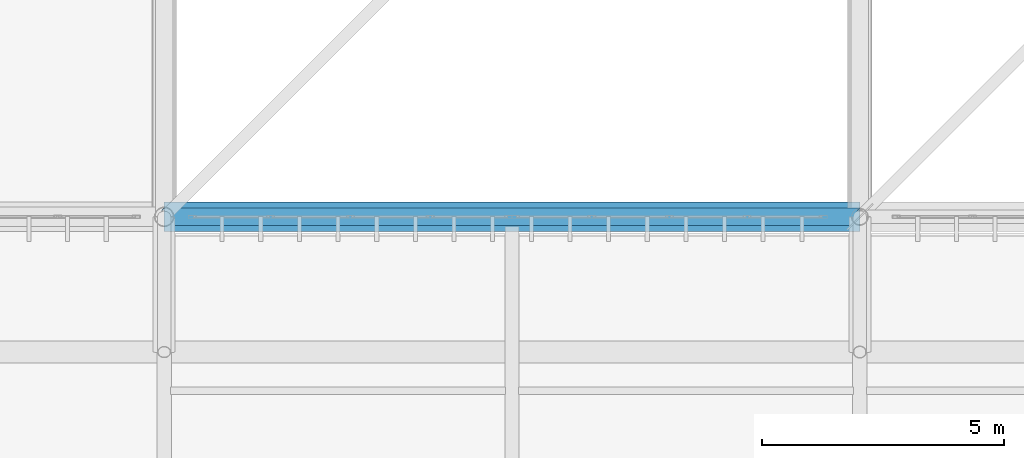
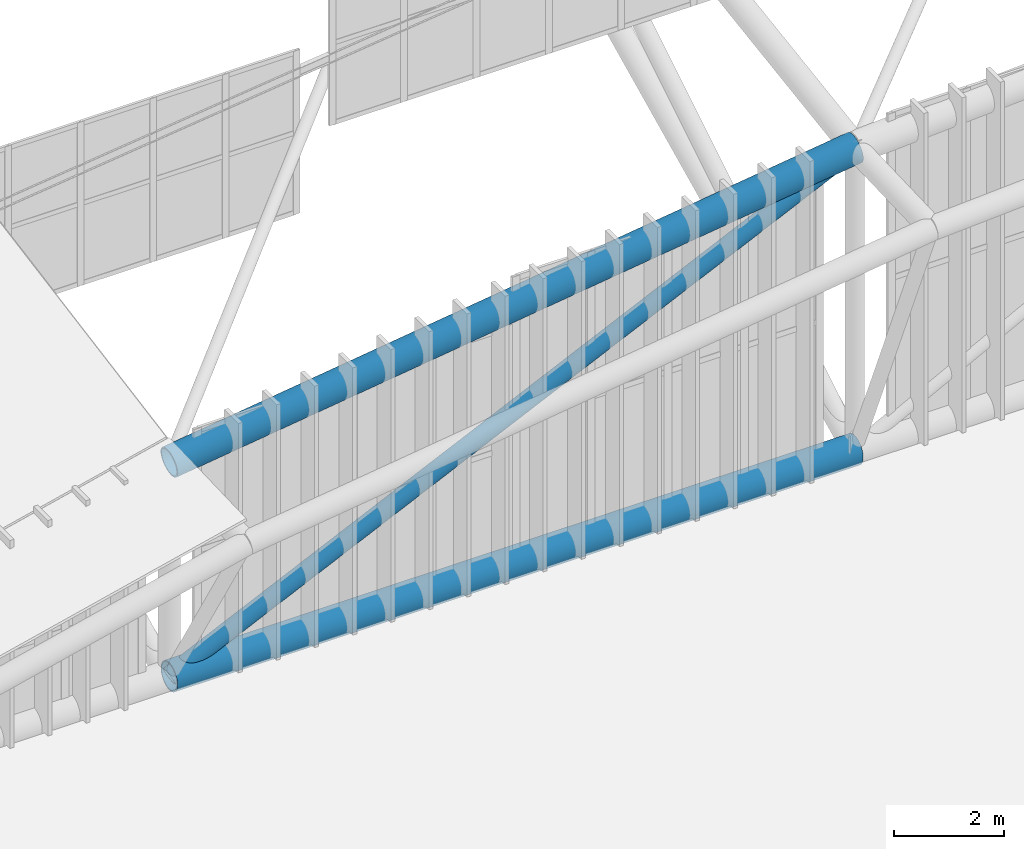
# One storey, part 20 of 397: 2 beams, 1 member.
"""IFC4 building model written with IfcOpenShell, lengths in metres."""

from ifc_helpers import new_model, si_unit, direction, frame, origin, origin_2d, place, context, subcontext, project, spatial, hollow_circle, extrude, material, material_profile, profile_set, type_object, element, save


model = new_model("IFC4")

# Units and contexts
model_context = context("Model", 3, precision=1e-05, world=origin(), true_north=direction((0.0, 1.0)))
body_context = subcontext(model_context, "Body", "Model", "MODEL_VIEW")
ifc_project = project(units=[si_unit("LENGTHUNIT", "METRE"), si_unit("AREAUNIT", "SQUARE_METRE"), si_unit("VOLUMEUNIT", "CUBIC_METRE"), si_unit("PLANEANGLEUNIT", "RADIAN"), si_unit("MASSUNIT", "GRAM", prefix="KILO")], contexts=[model_context])

# Site, building, storey
site_placement = place(None, origin())
site = spatial("IfcSite", under=ifc_project, at=site_placement, CompositionType="ELEMENT")
building_placement = place(site_placement, origin())
building = spatial("IfcBuilding", under=site, at=building_placement, Name="Qandorah Velis Arena", CompositionType="ELEMENT")
storey_placement = place(building_placement, frame((0.0, 0.0, 27.5)))
storey = spatial("IfcBuildingStorey", under=building, at=storey_placement, Name="RF", CompositionType="ELEMENT", Elevation=27.5)

# Beams
ifc_material_1 = material(Name="Steel S460", Category="steel")
ifc_material_profile_1 = material_profile(ifc_material_1, hollow_circle(Radius=0.304931640625, WallThickness=0.02490234375, at=origin_2d()), Name="CHS 610x25")
ifc_profile_set_1 = profile_set([ifc_material_profile_1], Name="Steel S460")
beam_type_1 = type_object("IfcBeamType", Name="STR-SFC-CHS610X25", PredefinedType="USERDEFINED", material=ifc_profile_set_1)
beam_1_placement = place(storey_placement, frame((28.800048828125, 14.39990234375, 0.10009765625), z_axis=(1.0, 0.0, 0.0), x_axis=(0.0, 1.0, 0.0)))
element("IfcBeam", 1, at=beam_1_placement, inside=storey, type_object=beam_type_1, Name="Space frame roof truss bottom chord X 1.0", ObjectType="ROOF TRUSS", PredefinedType="USERDEFINED", context=body_context, shape_type="SweptSolid", body=[
    extrude(hollow_circle(Radius=0.304931640625, WallThickness=0.02490234375, at=origin_2d()), origin(), (0.0, 0.0, 1.0), 14.39990234375),
])
ifc_material_profile_2 = material_profile(ifc_material_1, hollow_circle(Radius=0.304931640625, WallThickness=0.031982421875, at=origin_2d()), Name="CHS 610x32")
ifc_profile_set_2 = profile_set([ifc_material_profile_2], Name="Steel S460")
beam_type_2 = type_object("IfcBeamType", Name="STR-SFC-CHS610X32", PredefinedType="USERDEFINED", material=ifc_profile_set_2)
beam_2_placement = place(storey_placement, frame((28.800048828125, 14.39990234375, 4.851806640625), z_axis=(0.990978021788, 0.0, 0.134024476617), x_axis=(0.0, 1.0, 0.0)))
element("IfcBeam", 2, at=beam_2_placement, inside=storey, type_object=beam_type_2, Name="Space frame roof truss top chord X 1.0", ObjectType="ROOF TRUSS", PredefinedType="USERDEFINED", context=body_context, shape_type="SweptSolid", body=[
    extrude(hollow_circle(Radius=0.304931640625, WallThickness=0.031982421875, at=origin_2d()), origin(), (0.0, 0.0, 1.0), 14.531005859375),
])

# Member
ifc_material_2 = material(Name="Steel S355", Category="steel")
ifc_material_profile_3 = material_profile(ifc_material_2, hollow_circle(Radius=0.177734375, WallThickness=0.012451171875, at=origin_2d()), Name="CHS 355.6x12.5")
ifc_profile_set_3 = profile_set([ifc_material_profile_3], Name="Steel S355")
member_type = type_object("IfcMemberType", Name="STR-SFD-CHS355X12", PredefinedType="STRUT", material=ifc_profile_set_3)
member_placement = place(storey_placement, frame((28.800048828125, 14.39990234375, 0.10009765625), z_axis=(0.906682831456, 0.0, 0.42181304288), x_axis=(0.0, 1.0, 0.0)))
element("IfcMember", 3, at=member_placement, inside=storey, type_object=member_type, Name="Space frame roof diagonal X 1.0", PredefinedType="STRUT", context=body_context, shape_type="SweptSolid", body=[
    extrude(hollow_circle(Radius=0.177734375, WallThickness=0.012451171875, at=origin_2d()), origin(), (0.0, 0.0, 1.0), 15.882080078125),
])

save(model, "model.ifc")
